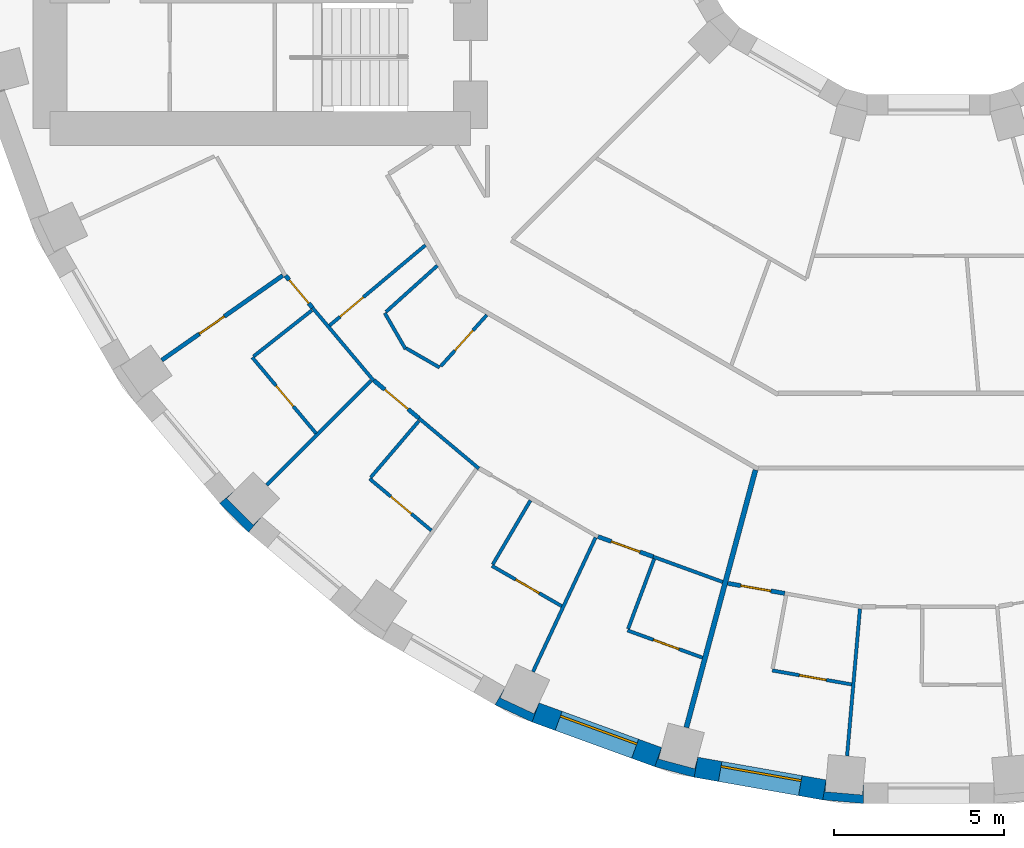
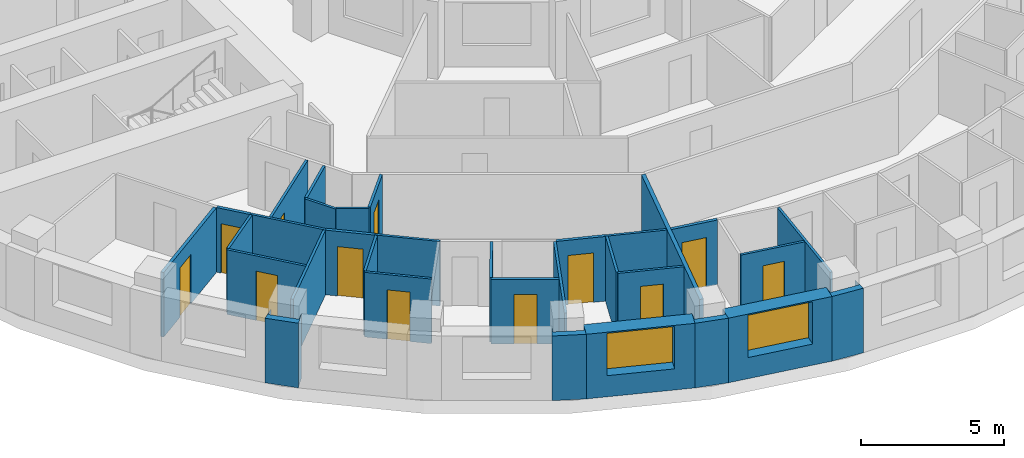
# One storey, part 2 of 14: 32 walls, 12 doors, 2 windows, 14 openings.
"""IFC4 building model written with IfcOpenShell, lengths in metres."""

from ifc_helpers import new_model, si_unit, direction, frame, frame_2d, origin, place, context, subcontext, project, spatial, polyline, rectangle, outline, extrude, material, layer, layer_set, type_object, element, fill, save


model = new_model("IFC4")

# Units and contexts
model_context = context("Model", 3, precision=1e-05, world=origin(), true_north=direction((0.0, 1.0)))
body_context = subcontext(model_context, "Body", "Model", "MODEL_VIEW")
ifc_project = project(units=[si_unit("LENGTHUNIT", "METRE"), si_unit("AREAUNIT", "SQUARE_METRE"), si_unit("VOLUMEUNIT", "CUBIC_METRE"), si_unit("PLANEANGLEUNIT", "RADIAN"), si_unit("MASSUNIT", "GRAM", prefix="KILO")], contexts=[model_context])

# Site, building, storey
site_placement = place(None, origin())
site = spatial("IfcSite", under=ifc_project, at=site_placement, CompositionType="ELEMENT")
building_placement = place(site_placement, origin())
building = spatial("IfcBuilding", under=site, at=building_placement, Name="Saqina Gate Tower", CompositionType="ELEMENT")
storey_placement = place(building_placement, frame((0.0, 0.0, 46.10009765625)))
storey = spatial("IfcBuildingStorey", under=building, at=storey_placement, Name="L12", CompositionType="ELEMENT", Elevation=46.10009765625)

# Walls
ifc_material_1 = material(Name="Brick masonry (red)", Category="masonry")
wall_type_1 = type_object("IfcWallType", Name="BRICK PIER COPING RED", PredefinedType="SOLIDWALL", material=ifc_material_1)
wall_1_placement = place(storey_placement, origin())
element("IfcWall", 1, at=wall_1_placement, inside=storey, type_object=wall_type_1, Name="Pier cap L12 column 23", PredefinedType="SOLIDWALL", context=body_context, shape_type="SweptSolid", body=[
    extrude(outline(polyline([(-20.04296875, -20.894775390625), (-19.6572265625, -20.43505859375), (-19.905029296875, -20.682861328125), (-20.682861328125, -19.905029296875), (-20.43505859375, -19.6572265625), (-20.894775390625, -20.04296875), (-20.04296875, -20.894775390625)])), origin(), (0.0, 0.0, 1.0), 2.75),
])
wall_2_placement = place(storey_placement, origin())
element("IfcWall", 2, at=wall_2_placement, inside=storey, type_object=wall_type_1, Name="Pier cap L12 column 25", PredefinedType="SOLIDWALL", context=body_context, shape_type="SweptSolid", body=[
    extrude(outline(polyline([(-11.687744140625, -26.48974609375), (-11.482666015625, -25.92578125), (-11.630615234375, -26.243408203125), (-12.627685546875, -25.778564453125), (-12.4794921875, -25.4609375), (-12.779541015625, -25.980712890625), (-11.687744140625, -26.48974609375)])), origin(), (0.0, 0.0, 1.0), 2.75),
])
wall_3_placement = place(storey_placement, origin())
element("IfcWall", 3, at=wall_3_placement, inside=storey, type_object=wall_type_1, Name="Pier cap L12 column 26", PredefinedType="SOLIDWALL", context=body_context, shape_type="SweptSolid", body=[
    extrude(outline(polyline([(-6.910400390625, -28.11669921875), (-6.80615234375, -27.52587890625), (-6.896728515625, -27.864501953125), (-7.95947265625, -27.57958984375), (-7.86865234375, -27.2412109375), (-8.073974609375, -27.80517578125), (-6.910400390625, -28.11669921875)])), origin(), (0.0, 0.0, 1.0), 2.75),
])
wall_4_placement = place(storey_placement, origin())
element("IfcWall", 4, at=wall_4_placement, inside=storey, type_object=wall_type_1, Name="Pier cap L12 column 27", PredefinedType="SOLIDWALL", context=body_context, shape_type="SweptSolid", body=[
    extrude(outline(polyline([(-3.122802734375, -28.78466796875), (-1.9228515625, -28.8896484375), (-1.9228515625, -28.28955078125), (-1.95361328125, -28.638671875), (-3.04931640625, -28.54296875), (-3.018798828125, -28.19384765625), (-3.122802734375, -28.78466796875)])), origin(), (0.0, 0.0, 1.0), 2.75),
])

# Wall, opening, window
ifc_material_2 = material(Name="Brick masonry (red)", Category="masonry")
ifc_layer_1 = layer(ifc_material_2, 0.60009765625)
ifc_layer_set_1 = layer_set([ifc_layer_1], Name="FW-BRICK-RED")
wall_type_2 = type_object("IfcWallType", Name="FW-BRICK-RED", PredefinedType="SOLIDWALL", material=ifc_layer_set_1)
wall_5_placement = place(storey_placement, frame((-11.585205078125, -26.207763671875, 0.0), z_axis=(0.0, 0.0, 1.0), x_axis=(0.939689588564, -0.342028474173, 0.0)))
wall_5 = element("IfcWall", 5, at=wall_5_placement, inside=storey, type_object=wall_type_2, Name="Facade wall L12 facet 25", PredefinedType="SOLIDWALL", context=body_context, shape_type="SweptSolid", body=[
    extrude(rectangle(XDim=3.845947265625, YDim=0.60009765625, at=frame_2d((1.9228515625, 0.0))), origin(), (0.0, 0.0, 1.0), 2.75),
])
opening_1_placement = place(wall_5_placement, frame((0.722900390625, 0.0, 0.89990234375)))
opening_1 = element("IfcOpeningElement", 6, at=opening_1_placement, cuts=wall_5, Name="Opening G03-W18", PredefinedType="OPENING", context=body_context, shape_type="SweptSolid", body=[
    extrude(rectangle(XDim=2.39990234375, YDim=1.800048828125, at=frame_2d((1.199951171875, 0.89990234375))), frame((0.0, 0.31201171875, 0.0), z_axis=(0.0, -1.0, 0.0), x_axis=(1.0, 0.0, 0.0)), (0.0, 0.0, 1.0), 0.6240234375),
])
ifc_material_3 = material(Name="Aluminium glazing", Category="aluminium")
window_type = type_object("IfcWindowType", Name="WN-A", PartitioningType="SINGLE_PANEL", PredefinedType="WINDOW", material=ifc_material_3)
window_1_placement = place(opening_1_placement, origin())
window_1 = element("IfcWindow", 7, at=window_1_placement, inside=storey, type_object=window_type, Name="Window L12 facet 25", OverallHeight=1.800048828125, OverallWidth=2.39990234375, PartitioningType="SINGLE_PANEL", PredefinedType="WINDOW", context=body_context, shape_type="SweptSolid", body=[
    extrude(rectangle(XDim=2.39990234375, YDim=1.800048828125, at=frame_2d((1.199951171875, 0.89990234375))), frame((0.0, 0.179931640625, 0.0), z_axis=(0.0, -1.0, 0.0), x_axis=(1.0, 0.0, 0.0)), (0.0, 0.0, 1.0), 0.06005859375),
])
fill(opening_1, window_1)

wall_6_placement = place(storey_placement, frame((-6.858154296875, -27.8212890625, 0.0), z_axis=(0.0, 0.0, 1.0), x_axis=(0.984800809218, -0.173687553279, 0.0)))
wall_6 = element("IfcWall", 8, at=wall_6_placement, inside=storey, type_object=wall_type_2, Name="Facade wall L12 facet 26", PredefinedType="SOLIDWALL", context=body_context, shape_type="SweptSolid", body=[
    extrude(rectangle(XDim=3.845703125, YDim=0.60009765625, at=frame_2d((1.9228515625, 0.0))), origin(), (0.0, 0.0, 1.0), 2.75),
])
opening_2_placement = place(wall_6_placement, frame((0.722900390625, 0.0, 0.89990234375)))
opening_2 = element("IfcOpeningElement", 9, at=opening_2_placement, cuts=wall_6, Name="Opening G03-W19", PredefinedType="OPENING", context=body_context, shape_type="SweptSolid", body=[
    extrude(rectangle(XDim=2.39990234375, YDim=1.800048828125, at=frame_2d((1.199951171875, 0.89990234375))), frame((0.0, 0.31201171875, 0.0), z_axis=(0.0, -1.0, 0.0), x_axis=(1.0, 0.0, 0.0)), (0.0, 0.0, 1.0), 0.6240234375),
])
window_2_placement = place(opening_2_placement, origin())
window_2 = element("IfcWindow", 10, at=window_2_placement, inside=storey, type_object=window_type, Name="Window L12 facet 26", OverallHeight=1.800048828125, OverallWidth=2.39990234375, PartitioningType="SINGLE_PANEL", PredefinedType="WINDOW", context=body_context, shape_type="SweptSolid", body=[
    extrude(rectangle(XDim=2.39990234375, YDim=1.800048828125, at=frame_2d((1.199951171875, 0.89990234375))), frame((0.0, 0.179931640625, 0.0), z_axis=(0.0, -1.0, 0.0), x_axis=(1.0, 0.0, 0.0)), (0.0, 0.0, 1.0), 0.06005859375),
])
fill(opening_2, window_2)

# Wall
ifc_material_4 = material(Name="Gypsum board on steel studs, 100 mm", Category="steel")
ifc_layer_2 = layer(ifc_material_4, 0.10009765625)
ifc_layer_set_2 = layer_set([ifc_layer_2], Name="PARTITION 100")
wall_type_3 = type_object("IfcWallType", Name="PARTITION 100", PredefinedType="PARTITIONING", material=ifc_layer_set_2)
wall_7_placement = place(storey_placement, frame((-16.030029296875, -14.43408203125, 0.0), z_axis=(0.0, 0.0, 1.0), x_axis=(0.499779910804, -0.866152435058, 0.0)))
element("IfcWall", 11, at=wall_7_placement, inside=storey, type_object=wall_type_3, Name="PARTITION PW3-22", PredefinedType="PARTITIONING", context=body_context, shape_type="SweptSolid", body=[
    extrude(rectangle(XDim=1.22607421875, YDim=0.10009765625, at=frame_2d((0.613037109375, 0.0))), origin(), (0.0, 0.0, 1.0), 2.75),
])

# Wall, opening, door
wall_8_placement = place(storey_placement, frame((-19.93408203125, -15.742919921875, 0.0), z_axis=(0.0, 0.0, 1.0), x_axis=(0.642726064959, -0.766096081064, 0.0)))
wall_8 = element("IfcWall", 12, at=wall_8_placement, inside=storey, type_object=wall_type_3, Name="PARTITION PW3-28", PredefinedType="PARTITIONING", context=body_context, shape_type="SweptSolid", body=[
    extrude(rectangle(XDim=2.9248046875, YDim=0.10009765625, at=frame_2d((1.46240234375, 0.0))), origin(), (0.0, 0.0, 1.0), 2.75),
])
opening_3_placement = place(wall_8_placement, frame((1.08740234375, 0.0, 0.0)))
opening_3 = element("IfcOpeningElement", 13, at=opening_3_placement, cuts=wall_8, Name="Opening G03-D44", PredefinedType="OPENING", context=body_context, shape_type="SweptSolid", body=[
    extrude(rectangle(XDim=0.800048828125, YDim=2.10009765625, at=frame_2d((0.39990234375, 1.050048828125))), frame((0.0, 0.06201171875, 0.0), z_axis=(0.0, -1.0, 0.0), x_axis=(1.0, 0.0, 0.0)), (0.0, 0.0, 1.0), 0.1240234375),
])
ifc_material_5 = material(Name="Timber door leaf, 800 mm", Category="wood")
door_type_1 = type_object("IfcDoorType", Name="DOOR 800 TIMBER", OperationType="SINGLE_SWING_LEFT", PredefinedType="DOOR", material=ifc_material_5)
door_1_placement = place(opening_3_placement, frame((0.800048828125, 0.0, 0.0), z_axis=(0.0, 0.0, 1.0), x_axis=(-1.0, 0.0, 0.0)))
door_1 = element("IfcDoor", 14, at=door_1_placement, inside=storey, type_object=door_type_1, Name="DOOR G03-D44", OperationType="SINGLE_SWING_LEFT", OverallHeight=2.10009765625, OverallWidth=0.800048828125, PredefinedType="DOOR", context=body_context, shape_type="SweptSolid", body=[
    extrude(rectangle(XDim=0.800048828125, YDim=2.10009765625, at=frame_2d((0.39990234375, 1.050048828125))), frame((0.0, 0.02490234375, 0.0), z_axis=(0.0, -1.0, 0.0), x_axis=(1.0, 0.0, 0.0)), (0.0, 0.0, 1.0), 0.050048828125),
])
fill(opening_3, door_1)

# Wall
wall_9_placement = place(storey_placement, frame((-18.16015625, -14.27880859375, 0.0), z_axis=(0.0, 0.0, 1.0), x_axis=(0.642859397188, -0.765984200521, 0.0)))
element("IfcWall", 15, at=wall_9_placement, inside=storey, type_object=wall_type_3, Name="PARTITION PW3-29", PredefinedType="PARTITIONING", context=body_context, shape_type="SweptSolid", body=[
    extrude(rectangle(XDim=2.8056640625, YDim=0.10009765625, at=frame_2d((1.40283203125, 0.0))), origin(), (0.0, 0.0, 1.0), 2.75),
])

# Wall, opening, door
wall_10_placement = place(storey_placement, frame((-16.47607421875, -19.319091796875, 0.0), z_axis=(0.0, 0.0, 1.0), x_axis=(0.766109873163, -0.642709625136, 0.0)))
wall_10 = element("IfcWall", 16, at=wall_10_placement, inside=storey, type_object=wall_type_3, Name="PARTITION PW3-38", PredefinedType="PARTITIONING", context=body_context, shape_type="SweptSolid", body=[
    extrude(rectangle(XDim=2.3740234375, YDim=0.10009765625, at=frame_2d((1.18701171875, 0.0))), origin(), (0.0, 0.0, 1.0), 2.75),
])
opening_4_placement = place(wall_10_placement, frame((0.81201171875, 0.0, 0.0)))
opening_4 = element("IfcOpeningElement", 17, at=opening_4_placement, cuts=wall_10, Name="Opening G03-D47", PredefinedType="OPENING", context=body_context, shape_type="SweptSolid", body=[
    extrude(rectangle(XDim=0.800048828125, YDim=2.10009765625, at=frame_2d((0.39990234375, 1.050048828125))), frame((0.0, 0.06201171875, 0.0), z_axis=(0.0, -1.0, 0.0), x_axis=(1.0, 0.0, 0.0)), (0.0, 0.0, 1.0), 0.1240234375),
])
door_2_placement = place(opening_4_placement, frame((0.800048828125, 0.0, 0.0), z_axis=(0.0, 0.0, 1.0), x_axis=(-1.0, 0.0, 0.0)))
door_2 = element("IfcDoor", 18, at=door_2_placement, inside=storey, type_object=door_type_1, Name="DOOR G03-D47", OperationType="SINGLE_SWING_LEFT", OverallHeight=2.10009765625, OverallWidth=0.800048828125, PredefinedType="DOOR", context=body_context, shape_type="SweptSolid", body=[
    extrude(rectangle(XDim=0.800048828125, YDim=2.10009765625, at=frame_2d((0.39990234375, 1.050048828125))), frame((0.0, 0.02490234375, 0.0), z_axis=(0.0, -1.0, 0.0), x_axis=(1.0, 0.0, 0.0)), (0.0, 0.0, 1.0), 0.050048828125),
])
fill(opening_4, door_2)

# Wall
wall_11_placement = place(storey_placement, frame((-15.021240234375, -17.536865234375, 0.0), z_axis=(0.0, 0.0, 1.0), x_axis=(0.766099024104, -0.642722556993, 0.0)))
element("IfcWall", 19, at=wall_11_placement, inside=storey, type_object=wall_type_3, Name="PARTITION PW3-39", PredefinedType="PARTITIONING", context=body_context, shape_type="SweptSolid", body=[
    extrude(rectangle(XDim=2.305419921875, YDim=0.10009765625, at=frame_2d((1.15283203125, 0.0))), origin(), (0.0, 0.0, 1.0), 2.75),
])

# Wall, opening, door
wall_12_placement = place(storey_placement, frame((-12.87109375, -21.885986328125, 0.0), z_axis=(0.0, 0.0, 1.0), x_axis=(0.865944213836, -0.500140598757, 0.0)))
wall_12 = element("IfcWall", 20, at=wall_12_placement, inside=storey, type_object=wall_type_3, Name="PARTITION PW3-44", PredefinedType="PARTITIONING", context=body_context, shape_type="SweptSolid", body=[
    extrude(rectangle(XDim=2.375244140625, YDim=0.10009765625, at=frame_2d((1.1875, 0.0))), origin(), (0.0, 0.0, 1.0), 2.75),
])
opening_5_placement = place(wall_12_placement, frame((0.8125, 0.0, 0.0)))
opening_5 = element("IfcOpeningElement", 21, at=opening_5_placement, cuts=wall_12, Name="Opening G03-D51", PredefinedType="OPENING", context=body_context, shape_type="SweptSolid", body=[
    extrude(rectangle(XDim=0.800048828125, YDim=2.10009765625, at=frame_2d((0.39990234375, 1.050048828125))), frame((0.0, 0.06201171875, 0.0), z_axis=(0.0, -1.0, 0.0), x_axis=(1.0, 0.0, 0.0)), (0.0, 0.0, 1.0), 0.1240234375),
])
door_3_placement = place(opening_5_placement, frame((0.800048828125, 0.0, 0.0), z_axis=(0.0, 0.0, 1.0), x_axis=(-1.0, 0.0, 0.0)))
door_3 = element("IfcDoor", 22, at=door_3_placement, inside=storey, type_object=door_type_1, Name="DOOR G03-D51", OperationType="SINGLE_SWING_LEFT", OverallHeight=2.10009765625, OverallWidth=0.800048828125, PredefinedType="DOOR", context=body_context, shape_type="SweptSolid", body=[
    extrude(rectangle(XDim=0.800048828125, YDim=2.10009765625, at=frame_2d((0.39990234375, 1.050048828125))), frame((0.0, 0.02490234375, 0.0), z_axis=(0.0, -1.0, 0.0), x_axis=(1.0, 0.0, 0.0)), (0.0, 0.0, 1.0), 0.050048828125),
])
fill(opening_5, door_3)

# Wall
wall_13_placement = place(storey_placement, frame((-15.402587890625, -15.470947265625, 0.0), z_axis=(0.0, 0.0, 1.0), x_axis=(0.866117982198, -0.499839615189, 0.0)))
element("IfcWall", 23, at=wall_13_placement, inside=storey, type_object=wall_type_3, Name="PARTITION PW3-46", PredefinedType="PARTITIONING", context=body_context, shape_type="SweptSolid", body=[
    extrude(rectangle(XDim=1.142578125, YDim=0.10009765625, at=frame_2d((0.5712890625, 0.0))), origin(), (0.0, 0.0, 1.0), 2.75),
])

# Wall, opening, door
wall_14_placement = place(storey_placement, frame((-8.875, -23.7890625, 0.0), z_axis=(0.0, 0.0, 1.0), x_axis=(0.939775222713, -0.341793111069, 0.0)))
wall_14 = element("IfcWall", 24, at=wall_14_placement, inside=storey, type_object=wall_type_3, Name="PARTITION PW3-53", PredefinedType="PARTITIONING", context=body_context, shape_type="SweptSolid", body=[
    extrude(rectangle(XDim=2.35009765625, YDim=0.10009765625, at=frame_2d((1.175048828125, 0.0))), origin(), (0.0, 0.0, 1.0), 2.75),
])
opening_6_placement = place(wall_14_placement, frame((0.8125, 0.0, 0.0)))
opening_6 = element("IfcOpeningElement", 25, at=opening_6_placement, cuts=wall_14, Name="Opening G03-D53", PredefinedType="OPENING", context=body_context, shape_type="SweptSolid", body=[
    extrude(rectangle(XDim=0.800048828125, YDim=2.10009765625, at=frame_2d((0.39990234375, 1.050048828125))), frame((0.0, 0.06201171875, 0.0), z_axis=(0.0, -1.0, 0.0), x_axis=(1.0, 0.0, 0.0)), (0.0, 0.0, 1.0), 0.1240234375),
])
door_4_placement = place(opening_6_placement, frame((0.800048828125, 0.0, 0.0), z_axis=(0.0, 0.0, 1.0), x_axis=(-1.0, 0.0, 0.0)))
door_4 = element("IfcDoor", 26, at=door_4_placement, inside=storey, type_object=door_type_1, Name="DOOR G03-D53", OperationType="SINGLE_SWING_LEFT", OverallHeight=2.10009765625, OverallWidth=0.800048828125, PredefinedType="DOOR", context=body_context, shape_type="SweptSolid", body=[
    extrude(rectangle(XDim=0.800048828125, YDim=2.10009765625, at=frame_2d((0.39990234375, 1.050048828125))), frame((0.0, 0.02490234375, 0.0), z_axis=(0.0, -1.0, 0.0), x_axis=(1.0, 0.0, 0.0)), (0.0, 0.0, 1.0), 0.050048828125),
])
fill(opening_6, door_4)

# Wall
wall_15_placement = place(storey_placement, frame((-8.117919921875, -21.616943359375, 0.0), z_axis=(0.0, 0.0, 1.0), x_axis=(0.939718185991, -0.341949895332, 0.0)))
element("IfcWall", 27, at=wall_15_placement, inside=storey, type_object=wall_type_3, Name="PARTITION PW3-54", PredefinedType="PARTITIONING", context=body_context, shape_type="SweptSolid", body=[
    extrude(rectangle(XDim=2.1796875, YDim=0.10009765625, at=frame_2d((1.08984375, 0.0))), origin(), (0.0, 0.0, 1.0), 2.75),
])

# Wall, opening, door
wall_16_placement = place(storey_placement, frame((-4.60888671875, -24.968994140625, 0.0), z_axis=(0.0, 0.0, 1.0), x_axis=(0.984808388541, -0.173644573363, 0.0)))
wall_16 = element("IfcWall", 28, at=wall_16_placement, inside=storey, type_object=wall_type_3, Name="PARTITION PW3-57", PredefinedType="PARTITIONING", context=body_context, shape_type="SweptSolid", body=[
    extrude(rectangle(XDim=2.374755859375, YDim=0.10009765625, at=frame_2d((1.1875, 0.0))), origin(), (0.0, 0.0, 1.0), 2.75),
])
opening_7_placement = place(wall_16_placement, frame((0.8125, 0.0, 0.0)))
opening_7 = element("IfcOpeningElement", 29, at=opening_7_placement, cuts=wall_16, Name="Opening G03-D55", PredefinedType="OPENING", context=body_context, shape_type="SweptSolid", body=[
    extrude(rectangle(XDim=0.800048828125, YDim=2.10009765625, at=frame_2d((0.39990234375, 1.050048828125))), frame((0.0, 0.06201171875, 0.0), z_axis=(0.0, -1.0, 0.0), x_axis=(1.0, 0.0, 0.0)), (0.0, 0.0, 1.0), 0.1240234375),
])
door_5_placement = place(opening_7_placement, frame((0.800048828125, 0.0, 0.0), z_axis=(0.0, 0.0, 1.0), x_axis=(-1.0, 0.0, 0.0)))
door_5 = element("IfcDoor", 30, at=door_5_placement, inside=storey, type_object=door_type_1, Name="DOOR G03-D55", OperationType="SINGLE_SWING_LEFT", OverallHeight=2.10009765625, OverallWidth=0.800048828125, PredefinedType="DOOR", context=body_context, shape_type="SweptSolid", body=[
    extrude(rectangle(XDim=0.800048828125, YDim=2.10009765625, at=frame_2d((0.39990234375, 1.050048828125))), frame((0.0, 0.02490234375, 0.0), z_axis=(0.0, -1.0, 0.0), x_axis=(1.0, 0.0, 0.0)), (0.0, 0.0, 1.0), 0.050048828125),
])
fill(opening_7, door_5)

# Wall
wall_17_placement = place(storey_placement, frame((-19.894775390625, -15.7119140625, 0.0), z_axis=(0.0, 0.0, 1.0), x_axis=(0.784868488399, 0.619662372521, 0.0)))
element("IfcWall", 31, at=wall_17_placement, inside=storey, type_object=wall_type_3, Name="PARTITION PW3-90", PredefinedType="PARTITIONING", context=body_context, shape_type="SweptSolid", body=[
    extrude(rectangle(XDim=2.188720703125, YDim=0.10009765625, at=frame_2d((1.09423828125, 0.0))), origin(), (0.0, 0.0, 1.0), 2.75),
])

# Wall, opening, door
wall_18_placement = place(storey_placement, frame((-17.65478515625, -14.802978515625, 0.0), z_axis=(0.0, 0.0, 1.0), x_axis=(0.766273613589, 0.642514396039, 0.0)))
wall_18 = element("IfcWall", 32, at=wall_18_placement, inside=storey, type_object=wall_type_3, Name="PARTITION PW3-94", PredefinedType="PARTITIONING", context=body_context, shape_type="SweptSolid", body=[
    extrude(rectangle(XDim=3.68505859375, YDim=0.10009765625, at=frame_2d((1.842529296875, 0.0))), origin(), (0.0, 0.0, 1.0), 2.75),
])
opening_8_placement = place(wall_18_placement, frame((0.398681640625, 0.0, 0.0)))
opening_8 = element("IfcOpeningElement", 33, at=opening_8_placement, cuts=wall_18, Name="Opening G03-D43", PredefinedType="OPENING", context=body_context, shape_type="SweptSolid", body=[
    extrude(rectangle(XDim=0.89990234375, YDim=2.10009765625, at=frame_2d((0.449951171875, 1.050048828125))), frame((0.0, 0.06201171875, 0.0), z_axis=(0.0, -1.0, 0.0), x_axis=(1.0, 0.0, 0.0)), (0.0, 0.0, 1.0), 0.1240234375),
])
ifc_material_6 = material(Name="Timber door leaf, 900 mm", Category="wood")
door_type_2 = type_object("IfcDoorType", Name="DOOR 900 TIMBER", OperationType="SINGLE_SWING_LEFT", PredefinedType="DOOR", material=ifc_material_6)
door_6_placement = place(opening_8_placement, frame((0.89990234375, 0.0, 0.0), z_axis=(0.0, 0.0, 1.0), x_axis=(-1.0, 0.0, 0.0)))
door_6 = element("IfcDoor", 34, at=door_6_placement, inside=storey, type_object=door_type_2, Name="DOOR G03-D43", OperationType="SINGLE_SWING_RIGHT", OverallHeight=2.10009765625, OverallWidth=0.89990234375, PredefinedType="DOOR", context=body_context, shape_type="SweptSolid", body=[
    extrude(rectangle(XDim=0.89990234375, YDim=2.10009765625, at=frame_2d((0.449951171875, 1.050048828125))), frame((0.0, 0.02490234375, 0.0), z_axis=(0.0, -1.0, 0.0), x_axis=(1.0, 0.0, 0.0)), (0.0, 0.0, 1.0), 0.050048828125),
])
fill(opening_8, door_6)

# Walls
wall_19_placement = place(storey_placement, frame((-15.992919921875, -14.400634765625, 0.0), z_axis=(0.0, 0.0, 1.0), x_axis=(0.74316878737, 0.669103993022, 0.0)))
element("IfcWall", 35, at=wall_19_placement, inside=storey, type_object=wall_type_3, Name="PARTITION PW3-97", PredefinedType="PARTITIONING", context=body_context, shape_type="SweptSolid", body=[
    extrude(rectangle(XDim=2.033935546875, YDim=0.10009765625, at=frame_2d((1.01708984375, 0.0))), origin(), (0.0, 0.0, 1.0), 2.75),
])
wall_20_placement = place(storey_placement, frame((-19.509033203125, -19.509033203125, 0.0), z_axis=(0.0, 0.0, 1.0), x_axis=(0.707106781187, 0.707106781187, 0.0)))
element("IfcWall", 36, at=wall_20_placement, inside=storey, type_object=wall_type_3, Name="PARTITION PW3-98", PredefinedType="PARTITIONING", context=body_context, shape_type="SweptSolid", body=[
    extrude(rectangle(XDim=4.35009765625, YDim=0.10009765625, at=frame_2d((2.175048828125, 0.0))), origin(), (0.0, 0.0, 1.0), 2.75),
])

# Wall, opening, door
wall_21_placement = place(storey_placement, frame((-14.379638671875, -16.0048828125, 0.0), z_axis=(0.0, 0.0, 1.0), x_axis=(0.668334266264, 0.743861081478, 0.0)))
wall_21 = element("IfcWall", 37, at=wall_21_placement, inside=storey, type_object=wall_type_3, Name="PARTITION PW3-99", PredefinedType="PARTITIONING", context=body_context, shape_type="SweptSolid", body=[
    extrude(rectangle(XDim=2.033203125, YDim=0.10009765625, at=frame_2d((1.0166015625, 0.0))), origin(), (0.0, 0.0, 1.0), 2.75),
])
opening_9_placement = place(wall_21_placement, frame((0.622802734375, 0.0, 0.0)))
opening_9 = element("IfcOpeningElement", 38, at=opening_9_placement, cuts=wall_21, Name="Opening G03-D46", PredefinedType="OPENING", context=body_context, shape_type="SweptSolid", body=[
    extrude(rectangle(XDim=0.800048828125, YDim=2.10009765625, at=frame_2d((0.39990234375, 1.050048828125))), frame((0.0, 0.06201171875, 0.0), z_axis=(0.0, -1.0, 0.0), x_axis=(1.0, 0.0, 0.0)), (0.0, 0.0, 1.0), 0.1240234375),
])
door_7_placement = place(opening_9_placement, frame((0.800048828125, 0.0, 0.0), z_axis=(0.0, 0.0, 1.0), x_axis=(-1.0, 0.0, 0.0)))
door_7 = element("IfcDoor", 39, at=door_7_placement, inside=storey, type_object=door_type_1, Name="DOOR G03-D46", OperationType="SINGLE_SWING_LEFT", OverallHeight=2.10009765625, OverallWidth=0.800048828125, PredefinedType="DOOR", context=body_context, shape_type="SweptSolid", body=[
    extrude(rectangle(XDim=0.800048828125, YDim=2.10009765625, at=frame_2d((0.39990234375, 1.050048828125))), frame((0.0, 0.02490234375, 0.0), z_axis=(0.0, -1.0, 0.0), x_axis=(1.0, 0.0, 0.0)), (0.0, 0.0, 1.0), 0.050048828125),
])
fill(opening_9, door_7)

# Walls
wall_22_placement = place(storey_placement, frame((-16.443603515625, -19.281005859375, 0.0), z_axis=(0.0, 0.0, 1.0), x_axis=(0.648988401233, 0.760798301171, 0.0)))
element("IfcWall", 40, at=wall_22_placement, inside=storey, type_object=wall_type_3, Name="PARTITION PW3-100", PredefinedType="PARTITIONING", context=body_context, shape_type="SweptSolid", body=[
    extrude(rectangle(XDim=2.18798828125, YDim=0.10009765625, at=frame_2d((1.093994140625, 0.0))), origin(), (0.0, 0.0, 1.0), 2.75),
])
wall_23_placement = place(storey_placement, frame((-12.845703125, -21.843017578125, 0.0), z_axis=(0.0, 0.0, 1.0), x_axis=(0.507073781844, 0.86190265098, 0.0)))
element("IfcWall", 41, at=wall_23_placement, inside=storey, type_object=wall_type_3, Name="PARTITION PW3-107", PredefinedType="PARTITIONING", context=body_context, shape_type="SweptSolid", body=[
    extrude(rectangle(XDim=2.187255859375, YDim=0.10009765625, at=frame_2d((1.09375, 0.0))), origin(), (0.0, 0.0, 1.0), 2.75),
])
wall_24_placement = place(storey_placement, frame((-11.659912109375, -25.005126953125, 0.0), z_axis=(0.0, 0.0, 1.0), x_axis=(0.422625040743, 0.906304625905, 0.0)))
element("IfcWall", 42, at=wall_24_placement, inside=storey, type_object=wall_type_3, Name="PARTITION PW3-112", PredefinedType="PARTITIONING", context=body_context, shape_type="SweptSolid", body=[
    extrude(rectangle(XDim=4.362548828125, YDim=0.10009765625, at=frame_2d((2.18115234375, 0.0))), origin(), (0.0, 0.0, 1.0), 2.75),
])
wall_25_placement = place(storey_placement, frame((-8.857421875, -23.7421875, 0.0), z_axis=(0.0, 0.0, 1.0), x_axis=(0.349554173345, 0.936916154144, 0.0)))
element("IfcWall", 43, at=wall_25_placement, inside=storey, type_object=wall_type_3, Name="PARTITION PW3-114", PredefinedType="PARTITIONING", context=body_context, shape_type="SweptSolid", body=[
    extrude(rectangle(XDim=2.199951171875, YDim=0.10009765625, at=frame_2d((1.10009765625, 0.0))), origin(), (0.0, 0.0, 1.0), 2.75),
])
wall_26_placement = place(storey_placement, frame((-2.404296875, -27.485107421875, 0.0), z_axis=(0.0, 0.0, 1.0), x_axis=(0.087174609927, 0.996193047247, 0.0)))
element("IfcWall", 44, at=wall_26_placement, inside=storey, type_object=wall_type_3, Name="PARTITION PW3-126", PredefinedType="PARTITIONING", context=body_context, shape_type="SweptSolid", body=[
    extrude(rectangle(XDim=4.349365234375, YDim=0.10009765625, at=frame_2d((2.1748046875, 0.0))), origin(), (0.0, 0.0, 1.0), 2.75),
])

# Wall, opening, door
ifc_material_7 = material(Name="Gypsum board on steel studs, 125 mm, fire rated", Category="steel")
ifc_layer_3 = layer(ifc_material_7, 0.125)
ifc_layer_set_3 = layer_set([ifc_layer_3], Name="PARTITION EI 30 125")
wall_type_4 = type_object("IfcWallType", Name="PARTITION EI 30 125", PredefinedType="PARTITIONING", material=ifc_layer_set_3)
wall_27_placement = place(storey_placement, frame((-18.953857421875, -13.332275390625, 0.0), z_axis=(0.0, 0.0, 1.0), x_axis=(0.642533660644, -0.766257459956, 0.0)))
wall_27 = element("IfcWall", 45, at=wall_27_placement, inside=storey, type_object=wall_type_4, Name="PARTITION PW1-05", PredefinedType="PARTITIONING", context=body_context, shape_type="SweptSolid", body=[
    extrude(rectangle(XDim=1.2353515625, YDim=0.125, at=frame_2d((0.61767578125, 0.0))), origin(), (0.0, 0.0, 1.0), 2.75),
])
opening_10_placement = place(wall_27_placement, frame((0.16748046875, 0.0, 0.0)))
opening_10 = element("IfcOpeningElement", 46, at=opening_10_placement, cuts=wall_27, Name="Opening G03-D42", PredefinedType="OPENING", context=body_context, shape_type="SweptSolid", body=[
    extrude(rectangle(XDim=0.89990234375, YDim=2.10009765625, at=frame_2d((0.449951171875, 1.050048828125))), frame((0.0, 0.074462890625, 0.0), z_axis=(0.0, -1.0, 0.0), x_axis=(1.0, 0.0, 0.0)), (0.0, 0.0, 1.0), 0.14892578125),
])
ifc_material_8 = material(Name="Fire door leaf EI 30, 900 mm")
door_type_3 = type_object("IfcDoorType", Name="DOOR 900 EI 30", OperationType="SINGLE_SWING_LEFT", PredefinedType="DOOR", material=ifc_material_8)
door_8_placement = place(opening_10_placement, origin())
door_8 = element("IfcDoor", 47, at=door_8_placement, inside=storey, type_object=door_type_3, Name="DOOR G03-D42", OperationType="SINGLE_SWING_LEFT", OverallHeight=2.10009765625, OverallWidth=0.89990234375, PredefinedType="DOOR", context=body_context, shape_type="SweptSolid", body=[
    extrude(rectangle(XDim=0.89990234375, YDim=2.10009765625, at=frame_2d((0.449951171875, 1.050048828125))), frame((0.0, 0.02490234375, 0.0), z_axis=(0.0, -1.0, 0.0), x_axis=(1.0, 0.0, 0.0)), (0.0, 0.0, 1.0), 0.050048828125),
])
fill(opening_10, door_8)

wall_28_placement = place(storey_placement, frame((-16.3505859375, -16.421142578125, 0.0), z_axis=(0.0, 0.0, 1.0), x_axis=(0.765968068891, -0.642878617967, 0.0)))
wall_28 = element("IfcWall", 48, at=wall_28_placement, inside=storey, type_object=wall_type_4, Name="PARTITION PW1-08", PredefinedType="PARTITIONING", context=body_context, shape_type="SweptSolid", body=[
    extrude(rectangle(XDim=1.735595703125, YDim=0.125, at=frame_2d((0.86767578125, 0.0))), origin(), (0.0, 0.0, 1.0), 2.75),
])
opening_11_placement = place(wall_28_placement, frame((0.417724609375, 0.0, 0.0)))
opening_11 = element("IfcOpeningElement", 49, at=opening_11_placement, cuts=wall_28, Name="Opening G03-D45", PredefinedType="OPENING", context=body_context, shape_type="SweptSolid", body=[
    extrude(rectangle(XDim=0.89990234375, YDim=2.10009765625, at=frame_2d((0.449951171875, 1.050048828125))), frame((0.0, 0.074462890625, 0.0), z_axis=(0.0, -1.0, 0.0), x_axis=(1.0, 0.0, 0.0)), (0.0, 0.0, 1.0), 0.14892578125),
])
door_9_placement = place(opening_11_placement, origin())
door_9 = element("IfcDoor", 50, at=door_9_placement, inside=storey, type_object=door_type_3, Name="DOOR G03-D45", OperationType="SINGLE_SWING_LEFT", OverallHeight=2.10009765625, OverallWidth=0.89990234375, PredefinedType="DOOR", context=body_context, shape_type="SweptSolid", body=[
    extrude(rectangle(XDim=0.89990234375, YDim=2.10009765625, at=frame_2d((0.449951171875, 1.050048828125))), frame((0.0, 0.02490234375, 0.0), z_axis=(0.0, -1.0, 0.0), x_axis=(1.0, 0.0, 0.0)), (0.0, 0.0, 1.0), 0.050048828125),
])
fill(opening_11, door_9)

wall_29_placement = place(storey_placement, frame((-9.748046875, -21.023193359375, 0.0), z_axis=(0.0, 0.0, 1.0), x_axis=(0.939612508188, -0.342240170722, 0.0)))
wall_29 = element("IfcWall", 51, at=wall_29_placement, inside=storey, type_object=wall_type_4, Name="PARTITION PW1-21", PredefinedType="PARTITIONING", context=body_context, shape_type="SweptSolid", body=[
    extrude(rectangle(XDim=1.73486328125, YDim=0.125, at=frame_2d((0.867431640625, 0.0))), origin(), (0.0, 0.0, 1.0), 2.75),
])
opening_12_placement = place(wall_29_placement, frame((0.41748046875, 0.0, 0.0)))
opening_12 = element("IfcOpeningElement", 52, at=opening_12_placement, cuts=wall_29, Name="Opening G03-D52", PredefinedType="OPENING", context=body_context, shape_type="SweptSolid", body=[
    extrude(rectangle(XDim=0.89990234375, YDim=2.10009765625, at=frame_2d((0.449951171875, 1.050048828125))), frame((0.0, 0.074462890625, 0.0), z_axis=(0.0, -1.0, 0.0), x_axis=(1.0, 0.0, 0.0)), (0.0, 0.0, 1.0), 0.14892578125),
])
door_10_placement = place(opening_12_placement, origin())
door_10 = element("IfcDoor", 53, at=door_10_placement, inside=storey, type_object=door_type_3, Name="DOOR G03-D52", OperationType="SINGLE_SWING_LEFT", OverallHeight=2.10009765625, OverallWidth=0.89990234375, PredefinedType="DOOR", context=body_context, shape_type="SweptSolid", body=[
    extrude(rectangle(XDim=0.89990234375, YDim=2.10009765625, at=frame_2d((0.449951171875, 1.050048828125))), frame((0.0, 0.02490234375, 0.0), z_axis=(0.0, -1.0, 0.0), x_axis=(1.0, 0.0, 0.0)), (0.0, 0.0, 1.0), 0.050048828125),
])
fill(opening_12, door_10)

wall_30_placement = place(storey_placement, frame((-5.925048828125, -22.401123046875, 0.0), z_axis=(0.0, 0.0, 1.0), x_axis=(0.984786433544, -0.173769043008, 0.0)))
wall_30 = element("IfcWall", 54, at=wall_30_placement, inside=storey, type_object=wall_type_4, Name="PARTITION PW1-22", PredefinedType="PARTITIONING", context=body_context, shape_type="SweptSolid", body=[
    extrude(rectangle(XDim=1.7099609375, YDim=0.125, at=frame_2d((0.85498046875, 0.0))), origin(), (0.0, 0.0, 1.0), 2.75),
])
opening_13_placement = place(wall_30_placement, frame((0.392578125, 0.0, 0.0)))
opening_13 = element("IfcOpeningElement", 55, at=opening_13_placement, cuts=wall_30, Name="Opening G03-D54", PredefinedType="OPENING", context=body_context, shape_type="SweptSolid", body=[
    extrude(rectangle(XDim=0.89990234375, YDim=2.10009765625, at=frame_2d((0.449951171875, 1.050048828125))), frame((0.0, 0.074462890625, 0.0), z_axis=(0.0, -1.0, 0.0), x_axis=(1.0, 0.0, 0.0)), (0.0, 0.0, 1.0), 0.14892578125),
])
door_11_placement = place(opening_13_placement, origin())
door_11 = element("IfcDoor", 56, at=door_11_placement, inside=storey, type_object=door_type_3, Name="DOOR G03-D54", OperationType="SINGLE_SWING_LEFT", OverallHeight=2.10009765625, OverallWidth=0.89990234375, PredefinedType="DOOR", context=body_context, shape_type="SweptSolid", body=[
    extrude(rectangle(XDim=0.89990234375, YDim=2.10009765625, at=frame_2d((0.449951171875, 1.050048828125))), frame((0.0, 0.02490234375, 0.0), z_axis=(0.0, -1.0, 0.0), x_axis=(1.0, 0.0, 0.0)), (0.0, 0.0, 1.0), 0.050048828125),
])
fill(opening_13, door_11)

wall_31_placement = place(storey_placement, frame((-22.6005859375, -15.824951171875, 0.0), z_axis=(0.0, 0.0, 1.0), x_axis=(0.819158088694, 0.57356780395, 0.0)))
wall_31 = element("IfcWall", 57, at=wall_31_placement, inside=storey, type_object=wall_type_4, Name="PARTITION PW1-44", PredefinedType="PARTITIONING", context=body_context, shape_type="SweptSolid", body=[
    extrude(rectangle(XDim=4.35009765625, YDim=0.125, at=frame_2d((2.175048828125, 0.0))), origin(), (0.0, 0.0, 1.0), 2.75),
])
opening_14_placement = place(wall_31_placement, frame((1.3525390625, 0.0, 0.0)))
opening_14 = element("IfcOpeningElement", 58, at=opening_14_placement, cuts=wall_31, Name="Opening G03-D40", PredefinedType="OPENING", context=body_context, shape_type="SweptSolid", body=[
    extrude(rectangle(XDim=0.89990234375, YDim=2.10009765625, at=frame_2d((0.449951171875, 1.050048828125))), frame((0.0, 0.074462890625, 0.0), z_axis=(0.0, -1.0, 0.0), x_axis=(1.0, 0.0, 0.0)), (0.0, 0.0, 1.0), 0.14892578125),
])
door_12_placement = place(opening_14_placement, origin())
door_12 = element("IfcDoor", 59, at=door_12_placement, inside=storey, type_object=door_type_3, Name="DOOR G03-D40", OperationType="SINGLE_SWING_LEFT", OverallHeight=2.10009765625, OverallWidth=0.89990234375, PredefinedType="DOOR", context=body_context, shape_type="SweptSolid", body=[
    extrude(rectangle(XDim=0.89990234375, YDim=2.10009765625, at=frame_2d((0.449951171875, 1.050048828125))), frame((0.0, 0.02490234375, 0.0), z_axis=(0.0, -1.0, 0.0), x_axis=(1.0, 0.0, 0.0)), (0.0, 0.0, 1.0), 0.050048828125),
])
fill(opening_14, door_12)

# Wall
ifc_material_9 = material(Name="Gypsum board on steel studs, 150 mm, fire rated", Category="steel")
ifc_layer_4 = layer(ifc_material_9, 0.14990234375)
ifc_layer_set_4 = layer_set([ifc_layer_4], Name="PARTITION EI 60 150")
wall_type_5 = type_object("IfcWallType", Name="PARTITION EI 60 150", PredefinedType="PARTITIONING", material=ifc_layer_set_4)
wall_32_placement = place(storey_placement, frame((-7.140625, -26.64990234375, 0.0), z_axis=(0.0, 0.0, 1.0), x_axis=(0.259110891803, 0.965847578943, 0.0)))
element("IfcWall", 60, at=wall_32_placement, inside=storey, type_object=wall_type_5, Name="PARTITION PW2-03", PredefinedType="PARTITIONING", context=body_context, shape_type="SweptSolid", body=[
    extrude(rectangle(XDim=7.857177734375, YDim=0.14990234375, at=frame_2d((3.9287109375, 0.0))), origin(), (0.0, 0.0, 1.0), 2.75),
])

save(model, "model.ifc")
